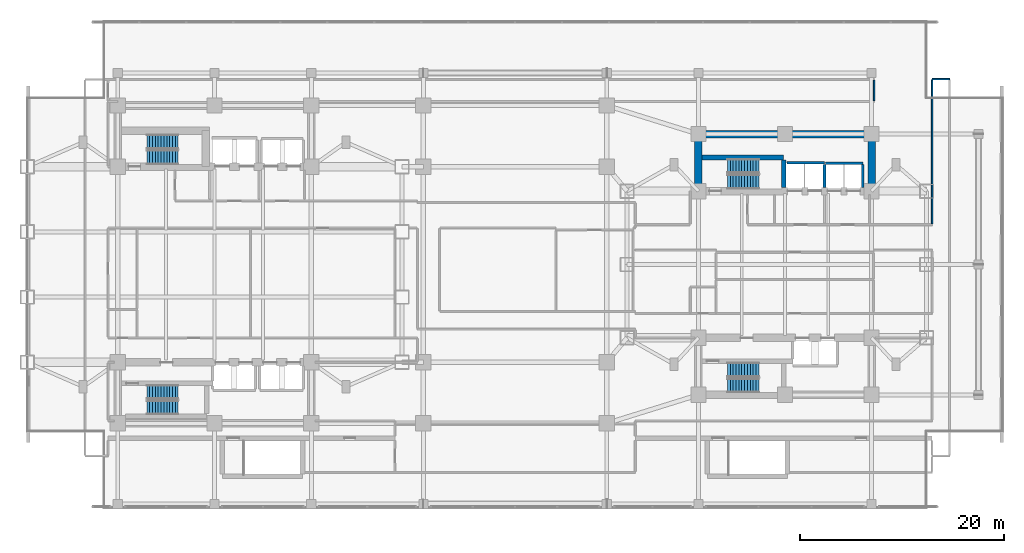
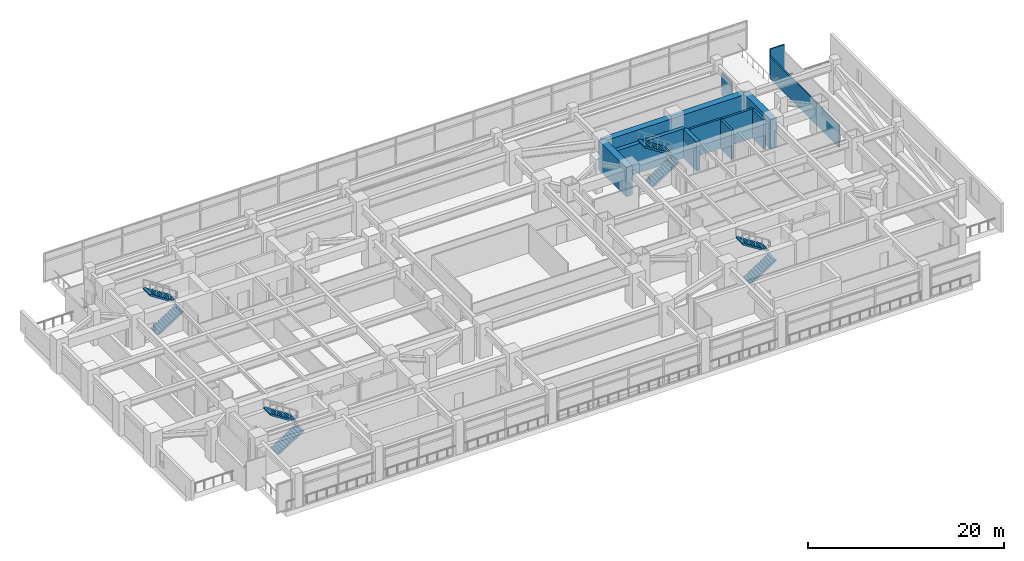
# One storey, part 20 of 27: 12 walls, 8 stair flights, 4 elements without a shape of their own.
"""IFC4 building model written with IfcOpenShell, lengths in metres."""

from ifc_helpers import new_model, si_unit, direction, frame, frame_2d, origin, place, context, subcontext, project, spatial, polyline, rectangle, outline, extrude, material, layer, layer_set, type_object, element, aggregate, save


model = new_model("IFC4")

# Units and contexts
model_context = context("Model", 3, precision=1e-05, world=origin(), true_north=direction((0.0, 1.0)))
body_context = subcontext(model_context, "Body", "Model", "MODEL_VIEW")
ifc_project = project(units=[si_unit("LENGTHUNIT", "METRE"), si_unit("AREAUNIT", "SQUARE_METRE"), si_unit("VOLUMEUNIT", "CUBIC_METRE"), si_unit("PLANEANGLEUNIT", "RADIAN"), si_unit("MASSUNIT", "GRAM", prefix="KILO")], contexts=[model_context])

# Site, building, storey
site_placement = place(None, origin())
site = spatial("IfcSite", under=ifc_project, at=site_placement, CompositionType="ELEMENT")
building_placement = place(site_placement, origin())
building = spatial("IfcBuilding", under=site, at=building_placement, Name="Mirazonda Arch Towers", CompositionType="ELEMENT")
storey_placement = place(building_placement, frame((0.0, 0.0, 18.10009765625)))
storey = spatial("IfcBuildingStorey", under=building, at=storey_placement, Name="L04", CompositionType="ELEMENT", Elevation=18.10009765625)

# Walls
ifc_material_1 = material(Name="Concrete C50/60", Category="concrete")
ifc_layer_1 = layer(ifc_material_1, 0.449951171875, Name="WALL-CORE-450")
ifc_layer_set_1 = layer_set([ifc_layer_1], Name="Concrete C50/60")
wall_type_1 = type_object("IfcWallType", Name="WALL-CORE-450", PredefinedType="SHEAR", material=ifc_layer_set_1)
wall_1_placement = place(storey_placement, frame((68.3701171875, 38.5, 0.0), z_axis=(0.0, 0.0, 1.0), x_axis=(1.0, 0.0, 0.0)))
element("IfcWall", 1, at=wall_1_placement, inside=storey, type_object=wall_type_1, Name="L04 Stair Core Shear Wall 044", PredefinedType="SHEAR", context=body_context, shape_type="SweptSolid", body=[
    extrude(rectangle(XDim=7.989990234375, YDim=0.449951171875, at=frame_2d((3.9951171875, 0.0))), origin(), (0.0, 0.0, 1.0), 3.64990234375),
])
wall_2_placement = place(storey_placement, frame((76.360107421875, 35.570068359375, 0.0), z_axis=(0.0, 0.0, 1.0), x_axis=(0.0, 1.0, 0.0)))
element("IfcWall", 2, at=wall_2_placement, inside=storey, type_object=wall_type_1, Name="L04 Stair Core Shear Wall 100", PredefinedType="SHEAR", context=body_context, shape_type="SweptSolid", body=[
    extrude(rectangle(XDim=2.69482421875, YDim=0.449951171875, at=frame_2d((1.347412109375, 0.0))), origin(), (0.0, 0.0, 1.0), 3.64990234375),
])
ifc_material_2 = material(Name="Concrete C60/75", Category="concrete")
ifc_layer_2 = layer(ifc_material_2, 0.75, Name="WALL-CORE-750")
ifc_layer_set_2 = layer_set([ifc_layer_2], Name="Concrete C60/75")
wall_type_2 = type_object("IfcWallType", Name="WALL-CORE-750", PredefinedType="SHEAR", material=ifc_layer_set_2)
wall_3_placement = place(storey_placement, frame((68.0, 40.800048828125, 0.0), z_axis=(0.0, 0.0, 1.0), x_axis=(1.0, 0.0, 0.0)))
element("IfcWall", 3, at=wall_3_placement, inside=storey, type_object=wall_type_2, Name="L04 T2N-N Core Shear Wall", PredefinedType="SHEAR", context=body_context, shape_type="SweptSolid", body=[
    extrude(rectangle(XDim=17.0, YDim=0.75, at=frame_2d((8.5, 0.0))), origin(), (0.0, 0.0, 1.0), 3.64990234375),
])
for number, where, z_axis, x_axis, name in (
    (4, (68.0, 35.199951171875, 0.0), (0.0, 0.0, 1.0), (0.0, 1.0, 0.0), "L04 T2N-W Core Shear Wall"),
    (5, (85.0, 35.199951171875, 0.0), (0.0, 0.0, 1.0), (0.0, 1.0, 0.0), "L04 T2N-E Core Shear Wall"),
):
    element("IfcWall", number, at=place(storey_placement, frame(where, z_axis=z_axis, x_axis=x_axis)), inside=storey, type_object=wall_type_2, Name=name, PredefinedType="SHEAR", context=body_context, shape_type="SweptSolid", body=[
        extrude(rectangle(XDim=5.60009765625, YDim=0.75, at=frame_2d((2.800048828125, 0.0))), origin(), (0.0, 0.0, 1.0), 3.64990234375),
    ])
ifc_material_3 = material(Name="Fire-Rated Gypsum Stud Partition")
ifc_layer_3 = layer(ifc_material_3, 0.14990234375, Name="WALL-PART-CORR-150")
ifc_layer_set_3 = layer_set([ifc_layer_3], Name="Fire-Rated Gypsum Stud Partition")
wall_type_3 = type_object("IfcWallType", Name="WALL-PART-CORR-150", PredefinedType="PARTITIONING", material=ifc_layer_set_3)
wall_4_placement = place(storey_placement, frame((90.949951171875, 46.199951171875, 0.0), z_axis=(0.0, 0.0, 1.0), x_axis=(1.0, 0.0, 0.0)))
element("IfcWall", 6, at=wall_4_placement, inside=storey, type_object=wall_type_3, Name="L04 Interior Partition 050", PredefinedType="PARTITIONING", context=body_context, shape_type="SweptSolid", body=[
    extrude(rectangle(XDim=1.699951171875, YDim=0.14990234375, at=frame_2d((0.85009765625, 0.0))), origin(), (0.0, 0.0, 1.0), 3.64990234375),
])
wall_5_placement = place(storey_placement, frame((85.25, 44.0849609375, 0.0), z_axis=(0.0, 0.0, 1.0), x_axis=(0.0, 1.0, 0.0)))
element("IfcWall", 7, at=wall_5_placement, inside=storey, type_object=wall_type_3, Name="L04 Interior Partition 110", PredefinedType="PARTITIONING", context=body_context, shape_type="SweptSolid", body=[
    extrude(rectangle(XDim=2.005126953125, YDim=0.14990234375, at=frame_2d((1.00244140625, 0.0))), origin(), (0.0, 0.0, 1.0), 2.785888671875),
])
wall_6_placement = place(storey_placement, frame((90.949951171875, 31.985107421875, 0.0), z_axis=(0.0, 0.0, 1.0), x_axis=(0.0, 1.0, 0.0)))
element("IfcWall", 8, at=wall_6_placement, inside=storey, type_object=wall_type_3, Name="L04 Interior Partition 115", PredefinedType="PARTITIONING", context=body_context, shape_type="SweptSolid", body=[
    extrude(rectangle(XDim=14.1298828125, YDim=0.14990234375, at=frame_2d((7.06494140625, 0.0))), origin(), (0.0, 0.0, 1.0), 2.785888671875),
])
ifc_material_4 = material(Name="Concrete C40/50", Category="concrete")
ifc_layer_4 = layer(ifc_material_4, 0.25, Name="WALL-SHAFT-250")
ifc_layer_set_4 = layer_set([ifc_layer_4], Name="Concrete C40/50")
wall_type_4 = type_object("IfcWallType", Name="WALL-SHAFT-250", PredefinedType="SOLIDWALL", material=ifc_layer_set_4)
wall_7_placement = place(storey_placement, frame((80.5, 37.949951171875, 0.0), z_axis=(0.0, 0.0, 1.0), x_axis=(1.0, 0.0, 0.0)))
element("IfcWall", 9, at=wall_7_placement, inside=storey, type_object=wall_type_4, Name="L04 Interior Partition 042", PredefinedType="SOLIDWALL", context=body_context, shape_type="SweptSolid", body=[
    extrude(rectangle(XDim=3.64990234375, YDim=0.25, at=frame_2d((1.824951171875, 0.0))), origin(), (0.0, 0.0, 1.0), 3.64990234375),
])
wall_8_placement = place(storey_placement, frame((76.719970703125, 38.0, 0.0), z_axis=(0.0, 0.0, 1.0), x_axis=(1.0, 0.0, 0.0)))
element("IfcWall", 10, at=wall_8_placement, inside=storey, type_object=wall_type_4, Name="L04 Interior Partition 043", PredefinedType="SOLIDWALL", context=body_context, shape_type="SweptSolid", body=[
    extrude(rectangle(XDim=3.659912109375, YDim=0.25, at=frame_2d((1.830078125, 0.0))), origin(), (0.0, 0.0, 1.0), 3.64990234375),
])
for number, where, z_axis, x_axis, name in (
    (11, (80.3798828125, 35.570068359375, 0.0), (0.0, 0.0, 1.0), (0.0, 1.0, 0.0), "L04 Interior Partition 104"),
    (12, (84.14990234375, 35.570068359375, 0.0), (0.0, 0.0, 1.0), (0.0, 1.0, 0.0), "L04 Interior Partition 106"),
):
    element("IfcWall", number, at=place(storey_placement, frame(where, z_axis=z_axis, x_axis=x_axis)), inside=storey, type_object=wall_type_4, Name=name, PredefinedType="SOLIDWALL", context=body_context, shape_type="SweptSolid", body=[
        extrude(rectangle(XDim=2.244873046875, YDim=0.25, at=frame_2d((1.12255859375, 0.0))), origin(), (0.0, 0.0, 1.0), 3.64990234375),
    ])

# Stair, stair flights
stair_type = type_object("IfcStairType", Name="STAIR-CORE-1400", PredefinedType="HALF_TURN_STAIR", material=ifc_material_4)
stair_1_placement = place(storey_placement, origin())
stair_1 = element("IfcStair", 13, at=stair_1_placement, inside=storey, type_object=stair_type, Name="L04 Protected Exit Stair ST-T1N", PredefinedType="HALF_TURN_STAIR")
stair_flight_type = type_object("IfcStairFlightType", Name="FLIGHT-1400", PredefinedType="STRAIGHT", material=ifc_material_4)
stair_flight_1_placement = place(storey_placement, frame((13.85009765625, 38.52001953125, 0.0), z_axis=(0.0, 0.0, 1.0), x_axis=(1.0, 0.0, 0.0)))
stair_flight_1 = element("IfcStairFlight", 14, at=stair_flight_1_placement, type_object=stair_flight_type, Name="ST-T1N flight 1", NumberOfRisers=12, NumberOfTreads=11, PredefinedType="STRAIGHT", RiserHeight=0.179166667, TreadLength=0.28, context=body_context, shape_type="SweptSolid", body=[
    extrude(outline(polyline([(0.0, 0.0), (0.0, 0.17919921875), (0.280029296875, 0.17919921875), (0.280029296875, 0.3583984375), (0.56005859375, 0.3583984375), (0.56005859375, 0.53759765625), (0.840087890625, 0.53759765625), (0.840087890625, 0.716552734375), (1.1201171875, 0.716552734375), (1.1201171875, 0.895751953125), (1.39990234375, 0.895751953125), (1.39990234375, 1.074951171875), (1.679931640625, 1.074951171875), (1.679931640625, 1.254150390625), (1.9599609375, 1.254150390625), (1.9599609375, 1.433349609375), (2.239990234375, 1.433349609375), (2.239990234375, 1.612548828125), (2.52001953125, 1.612548828125), (2.52001953125, 1.791748046875), (2.800048828125, 1.791748046875), (2.800048828125, 1.970947265625), (3.080078125, 1.970947265625), (3.080078125, 2.14990234375), (3.080078125, 1.781005859375), (0.296630859375, 0.0), (0.0, 0.0)])), frame((0.0, 0.699951171875, 0.0), z_axis=(0.0, -1.0, 0.0), x_axis=(1.0, 0.0, 0.0)), (0.0, 0.0, 1.0), 1.39990234375),
])
stair_flight_2_placement = place(storey_placement, frame((16.929931640625, 40.06005859375, 2.14990234375), z_axis=(0.0, 0.0, 1.0), x_axis=(-1.0, 0.0, 0.0)))
stair_flight_2 = element("IfcStairFlight", 15, at=stair_flight_2_placement, type_object=stair_flight_type, Name="ST-T1N flight 2", NumberOfRisers=12, NumberOfTreads=11, PredefinedType="STRAIGHT", RiserHeight=0.179166667, TreadLength=0.28, context=body_context, shape_type="SweptSolid", body=[
    extrude(outline(polyline([(0.0, 0.0), (0.0, 0.17919921875), (0.280029296875, 0.17919921875), (0.280029296875, 0.3583984375), (0.56005859375, 0.3583984375), (0.56005859375, 0.53759765625), (0.840087890625, 0.53759765625), (0.840087890625, 0.716552734375), (1.1201171875, 0.716552734375), (1.1201171875, 0.895751953125), (1.39990234375, 0.895751953125), (1.39990234375, 1.074951171875), (1.679931640625, 1.074951171875), (1.679931640625, 1.254150390625), (1.9599609375, 1.254150390625), (1.9599609375, 1.433349609375), (2.239990234375, 1.433349609375), (2.239990234375, 1.612548828125), (2.52001953125, 1.612548828125), (2.52001953125, 1.791748046875), (2.800048828125, 1.791748046875), (2.800048828125, 1.970947265625), (3.080078125, 1.970947265625), (3.080078125, 2.14990234375), (3.080078125, 1.781005859375), (0.296630859375, 0.0), (0.0, 0.0)])), frame((0.0, 0.699951171875, 0.0), z_axis=(0.0, -1.0, 0.0), x_axis=(1.0, 0.0, 0.0)), (0.0, 0.0, 1.0), 1.39990234375),
])
aggregate(stair_1, [stair_flight_1, stair_flight_2])

stair_2_placement = place(storey_placement, origin())
stair_2 = element("IfcStair", 16, at=stair_2_placement, inside=storey, type_object=stair_type, Name="L04 Protected Exit Stair ST-T1S", PredefinedType="HALF_TURN_STAIR")
stair_flight_3_placement = place(storey_placement, frame((13.85009765625, 13.949951171875, 0.0), z_axis=(0.0, 0.0, 1.0), x_axis=(1.0, 0.0, 0.0)))
stair_flight_3 = element("IfcStairFlight", 17, at=stair_flight_3_placement, type_object=stair_flight_type, Name="ST-T1S flight 1", NumberOfRisers=12, NumberOfTreads=11, PredefinedType="STRAIGHT", RiserHeight=0.179166667, TreadLength=0.28, context=body_context, shape_type="SweptSolid", body=[
    extrude(outline(polyline([(0.0, 0.0), (0.0, 0.17919921875), (0.280029296875, 0.17919921875), (0.280029296875, 0.3583984375), (0.56005859375, 0.3583984375), (0.56005859375, 0.53759765625), (0.840087890625, 0.53759765625), (0.840087890625, 0.716552734375), (1.1201171875, 0.716552734375), (1.1201171875, 0.895751953125), (1.39990234375, 0.895751953125), (1.39990234375, 1.074951171875), (1.679931640625, 1.074951171875), (1.679931640625, 1.254150390625), (1.9599609375, 1.254150390625), (1.9599609375, 1.433349609375), (2.239990234375, 1.433349609375), (2.239990234375, 1.612548828125), (2.52001953125, 1.612548828125), (2.52001953125, 1.791748046875), (2.800048828125, 1.791748046875), (2.800048828125, 1.970947265625), (3.080078125, 1.970947265625), (3.080078125, 2.14990234375), (3.080078125, 1.781005859375), (0.296630859375, 0.0), (0.0, 0.0)])), frame((0.0, 0.699951171875, 0.0), z_axis=(0.0, -1.0, 0.0), x_axis=(1.0, 0.0, 0.0)), (0.0, 0.0, 1.0), 1.39990234375),
])
stair_flight_4_placement = place(storey_placement, frame((16.929931640625, 15.489990234375, 2.14990234375), z_axis=(0.0, 0.0, 1.0), x_axis=(-1.0, 0.0, 0.0)))
stair_flight_4 = element("IfcStairFlight", 18, at=stair_flight_4_placement, type_object=stair_flight_type, Name="ST-T1S flight 2", NumberOfRisers=12, NumberOfTreads=11, PredefinedType="STRAIGHT", RiserHeight=0.179166667, TreadLength=0.28, context=body_context, shape_type="SweptSolid", body=[
    extrude(outline(polyline([(0.0, 0.0), (0.0, 0.17919921875), (0.280029296875, 0.17919921875), (0.280029296875, 0.3583984375), (0.56005859375, 0.3583984375), (0.56005859375, 0.53759765625), (0.840087890625, 0.53759765625), (0.840087890625, 0.716552734375), (1.1201171875, 0.716552734375), (1.1201171875, 0.895751953125), (1.39990234375, 0.895751953125), (1.39990234375, 1.074951171875), (1.679931640625, 1.074951171875), (1.679931640625, 1.254150390625), (1.9599609375, 1.254150390625), (1.9599609375, 1.433349609375), (2.239990234375, 1.433349609375), (2.239990234375, 1.612548828125), (2.52001953125, 1.612548828125), (2.52001953125, 1.791748046875), (2.800048828125, 1.791748046875), (2.800048828125, 1.970947265625), (3.080078125, 1.970947265625), (3.080078125, 2.14990234375), (3.080078125, 1.781005859375), (0.296630859375, 0.0), (0.0, 0.0)])), frame((0.0, 0.699951171875, 0.0), z_axis=(0.0, -1.0, 0.0), x_axis=(1.0, 0.0, 0.0)), (0.0, 0.0, 1.0), 1.39990234375),
])
aggregate(stair_2, [stair_flight_3, stair_flight_4])

stair_3_placement = place(storey_placement, origin())
stair_3 = element("IfcStair", 19, at=stair_3_placement, inside=storey, type_object=stair_type, Name="L04 Protected Exit Stair ST-T2N", PredefinedType="HALF_TURN_STAIR")
stair_flight_5_placement = place(storey_placement, frame((70.85009765625, 36.1201171875, 0.0), z_axis=(0.0, 0.0, 1.0), x_axis=(1.0, 0.0, 0.0)))
stair_flight_5 = element("IfcStairFlight", 20, at=stair_flight_5_placement, type_object=stair_flight_type, Name="ST-T2N flight 1", NumberOfRisers=12, NumberOfTreads=11, PredefinedType="STRAIGHT", RiserHeight=0.179166667, TreadLength=0.28, context=body_context, shape_type="SweptSolid", body=[
    extrude(outline(polyline([(0.0, 0.0), (0.0, 0.17919921875), (0.280029296875, 0.17919921875), (0.280029296875, 0.3583984375), (0.56005859375, 0.3583984375), (0.56005859375, 0.53759765625), (0.840087890625, 0.53759765625), (0.840087890625, 0.716552734375), (1.1201171875, 0.716552734375), (1.1201171875, 0.895751953125), (1.39990234375, 0.895751953125), (1.39990234375, 1.074951171875), (1.679931640625, 1.074951171875), (1.679931640625, 1.254150390625), (1.9599609375, 1.254150390625), (1.9599609375, 1.433349609375), (2.239990234375, 1.433349609375), (2.239990234375, 1.612548828125), (2.52001953125, 1.612548828125), (2.52001953125, 1.791748046875), (2.800048828125, 1.791748046875), (2.800048828125, 1.970947265625), (3.080078125, 1.970947265625), (3.080078125, 2.14990234375), (3.080078125, 1.781005859375), (0.296630859375, 0.0), (0.0, 0.0)])), frame((0.0, 0.699951171875, 0.0), z_axis=(0.0, -1.0, 0.0), x_axis=(1.0, 0.0, 0.0)), (0.0, 0.0, 1.0), 1.39990234375),
])
stair_flight_6_placement = place(storey_placement, frame((73.929931640625, 37.659912109375, 2.14990234375), z_axis=(0.0, 0.0, 1.0), x_axis=(-1.0, 0.0, 0.0)))
stair_flight_6 = element("IfcStairFlight", 21, at=stair_flight_6_placement, type_object=stair_flight_type, Name="ST-T2N flight 2", NumberOfRisers=12, NumberOfTreads=11, PredefinedType="STRAIGHT", RiserHeight=0.179166667, TreadLength=0.28, context=body_context, shape_type="SweptSolid", body=[
    extrude(outline(polyline([(0.0, 0.0), (0.0, 0.17919921875), (0.280029296875, 0.17919921875), (0.280029296875, 0.3583984375), (0.56005859375, 0.3583984375), (0.56005859375, 0.53759765625), (0.840087890625, 0.53759765625), (0.840087890625, 0.716552734375), (1.1201171875, 0.716552734375), (1.1201171875, 0.895751953125), (1.39990234375, 0.895751953125), (1.39990234375, 1.074951171875), (1.679931640625, 1.074951171875), (1.679931640625, 1.254150390625), (1.9599609375, 1.254150390625), (1.9599609375, 1.433349609375), (2.239990234375, 1.433349609375), (2.239990234375, 1.612548828125), (2.52001953125, 1.612548828125), (2.52001953125, 1.791748046875), (2.800048828125, 1.791748046875), (2.800048828125, 1.970947265625), (3.080078125, 1.970947265625), (3.080078125, 2.14990234375), (3.080078125, 1.781005859375), (0.296630859375, 0.0), (0.0, 0.0)])), frame((0.0, 0.699951171875, 0.0), z_axis=(0.0, -1.0, 0.0), x_axis=(1.0, 0.0, 0.0)), (0.0, 0.0, 1.0), 1.39990234375),
])
aggregate(stair_3, [stair_flight_5, stair_flight_6])

stair_4_placement = place(storey_placement, origin())
stair_4 = element("IfcStair", 22, at=stair_4_placement, inside=storey, type_object=stair_type, Name="L04 Protected Exit Stair ST-T2S", PredefinedType="HALF_TURN_STAIR")
stair_flight_7_placement = place(storey_placement, frame((70.85009765625, 16.1201171875, 0.0), z_axis=(0.0, 0.0, 1.0), x_axis=(1.0, 0.0, 0.0)))
stair_flight_7 = element("IfcStairFlight", 23, at=stair_flight_7_placement, type_object=stair_flight_type, Name="ST-T2S flight 1", NumberOfRisers=12, NumberOfTreads=11, PredefinedType="STRAIGHT", RiserHeight=0.179166667, TreadLength=0.28, context=body_context, shape_type="SweptSolid", body=[
    extrude(outline(polyline([(0.0, 0.0), (0.0, 0.17919921875), (0.280029296875, 0.17919921875), (0.280029296875, 0.3583984375), (0.56005859375, 0.3583984375), (0.56005859375, 0.53759765625), (0.840087890625, 0.53759765625), (0.840087890625, 0.716552734375), (1.1201171875, 0.716552734375), (1.1201171875, 0.895751953125), (1.39990234375, 0.895751953125), (1.39990234375, 1.074951171875), (1.679931640625, 1.074951171875), (1.679931640625, 1.254150390625), (1.9599609375, 1.254150390625), (1.9599609375, 1.433349609375), (2.239990234375, 1.433349609375), (2.239990234375, 1.612548828125), (2.52001953125, 1.612548828125), (2.52001953125, 1.791748046875), (2.800048828125, 1.791748046875), (2.800048828125, 1.970947265625), (3.080078125, 1.970947265625), (3.080078125, 2.14990234375), (3.080078125, 1.781005859375), (0.296630859375, 0.0), (0.0, 0.0)])), frame((0.0, 0.699951171875, 0.0), z_axis=(0.0, -1.0, 0.0), x_axis=(1.0, 0.0, 0.0)), (0.0, 0.0, 1.0), 1.39990234375),
])
stair_flight_8_placement = place(storey_placement, frame((73.929931640625, 17.659912109375, 2.14990234375), z_axis=(0.0, 0.0, 1.0), x_axis=(-1.0, 0.0, 0.0)))
stair_flight_8 = element("IfcStairFlight", 24, at=stair_flight_8_placement, type_object=stair_flight_type, Name="ST-T2S flight 2", NumberOfRisers=12, NumberOfTreads=11, PredefinedType="STRAIGHT", RiserHeight=0.179166667, TreadLength=0.28, context=body_context, shape_type="SweptSolid", body=[
    extrude(outline(polyline([(0.0, 0.0), (0.0, 0.17919921875), (0.280029296875, 0.17919921875), (0.280029296875, 0.3583984375), (0.56005859375, 0.3583984375), (0.56005859375, 0.53759765625), (0.840087890625, 0.53759765625), (0.840087890625, 0.716552734375), (1.1201171875, 0.716552734375), (1.1201171875, 0.895751953125), (1.39990234375, 0.895751953125), (1.39990234375, 1.074951171875), (1.679931640625, 1.074951171875), (1.679931640625, 1.254150390625), (1.9599609375, 1.254150390625), (1.9599609375, 1.433349609375), (2.239990234375, 1.433349609375), (2.239990234375, 1.612548828125), (2.52001953125, 1.612548828125), (2.52001953125, 1.791748046875), (2.800048828125, 1.791748046875), (2.800048828125, 1.970947265625), (3.080078125, 1.970947265625), (3.080078125, 2.14990234375), (3.080078125, 1.781005859375), (0.296630859375, 0.0), (0.0, 0.0)])), frame((0.0, 0.699951171875, 0.0), z_axis=(0.0, -1.0, 0.0), x_axis=(1.0, 0.0, 0.0)), (0.0, 0.0, 1.0), 1.39990234375),
])
aggregate(stair_4, [stair_flight_7, stair_flight_8])

save(model, "model.ifc")
